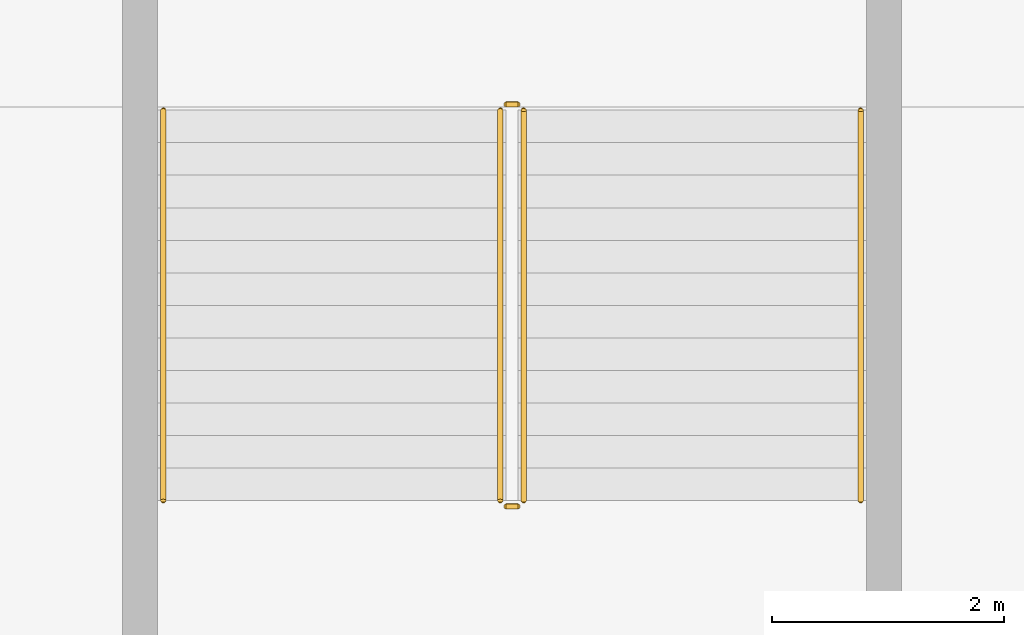
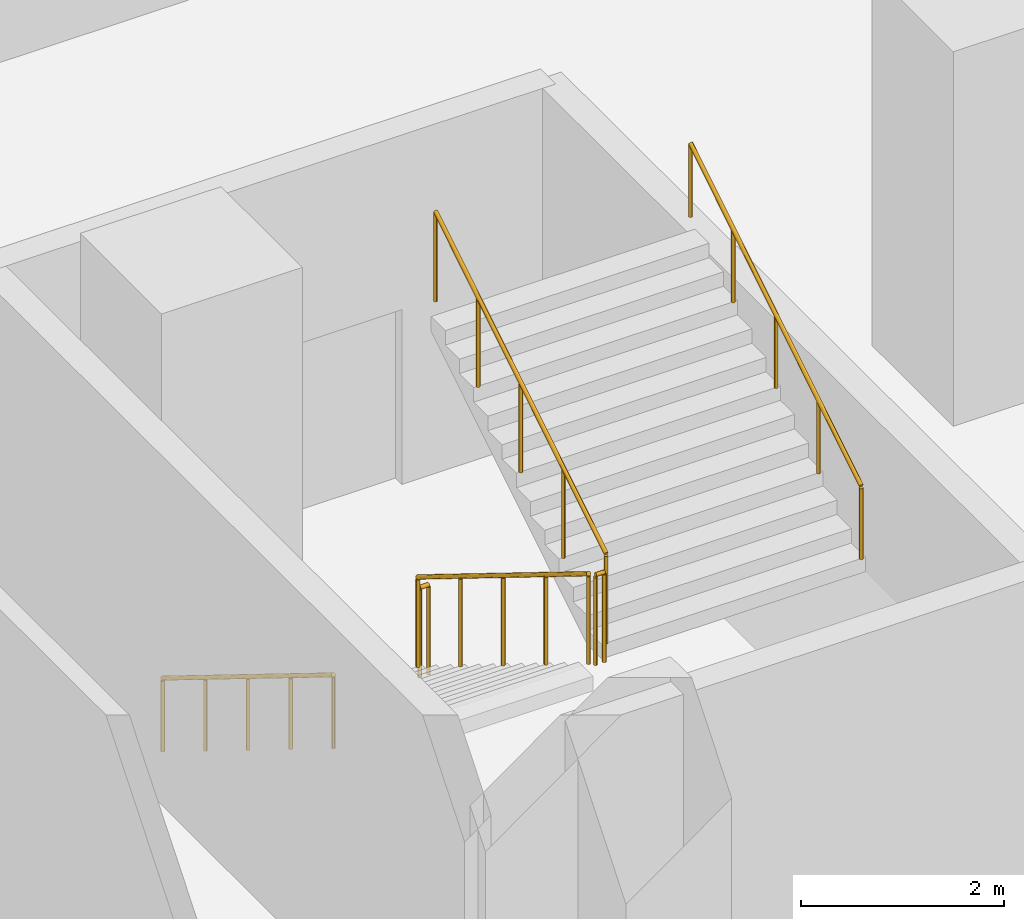
# One storey, part 10 of 13: 6 railings.
"""IFC4 building model written with IfcOpenShell, lengths in metres."""

from ifc_helpers import new_model, si_unit, direction, frame, origin, origin_2d, place, context, subcontext, project, spatial, circle, extrude, material, type_object, element, save


model = new_model("IFC4")

# Units and contexts
model_context = context("Model", 3, precision=1e-05, world=origin(), true_north=direction((0.0, 1.0)))
body_context = subcontext(model_context, "Body", "Model", "MODEL_VIEW")
ifc_project = project(units=[si_unit("LENGTHUNIT", "METRE"), si_unit("AREAUNIT", "SQUARE_METRE"), si_unit("VOLUMEUNIT", "CUBIC_METRE"), si_unit("PLANEANGLEUNIT", "RADIAN"), si_unit("MASSUNIT", "GRAM", prefix="KILO")], contexts=[model_context])

# Site, building, storey
site_placement = place(None, origin())
site = spatial("IfcSite", under=ifc_project, at=site_placement, CompositionType="ELEMENT")
building_placement = place(site_placement, origin())
building = spatial("IfcBuilding", under=site, at=building_placement, Name="Ogive Portal Towers", CompositionType="ELEMENT")
storey_placement = place(building_placement, frame((0.0, 0.0, -9.0)))
storey = spatial("IfcBuildingStorey", under=building, at=storey_placement, Name="B2", CompositionType="ELEMENT", Elevation=-9.0)

# Railings
ifc_material_1 = material(Name="Stainless steel balustrade", Category="steel")
railing_type_1 = type_object("IfcRailingType", Name="INT-GUARD", PredefinedType="GUARDRAIL", material=ifc_material_1)
railing_1_placement = place(storey_placement, frame((68.949951171875, 19.550048828125, 0.173095703125)))
element("IfcRailing", 1, at=railing_1_placement, inside=storey, type_object=railing_type_1, Name="B2 ST-S1 stair guard 1", PredefinedType="GUARDRAIL", context=body_context, shape_type="SweptSolid", body=[
    extrude(circle(Radius=0.02392578125, at=origin_2d()), frame((0.0, 0.0, 1.076171875), z_axis=(0.0, -0.850623216509, 0.525775754039), x_axis=(1.0, 0.0, 0.0)), (0.0, 0.0, 1.0), 3.9501953125),
    extrude(circle(Radius=0.02099609375, at=origin_2d()), origin(), (0.0, 0.0, 1.0), 1.052001953125),
    extrude(circle(Radius=0.02099609375, at=origin_2d()), frame((0.0, -0.840087890625, 0.519287109375)), (0.0, 0.0, 1.0), 1.052001953125),
    extrude(circle(Radius=0.02099609375, at=origin_2d()), frame((0.0, -1.68017578125, 1.03857421875)), (0.0, 0.0, 1.0), 1.052001953125),
    extrude(circle(Radius=0.02099609375, at=origin_2d()), frame((0.0, -2.52001953125, 1.5576171875)), (0.0, 0.0, 1.0), 1.052001953125),
    extrude(circle(Radius=0.02099609375, at=origin_2d()), frame((0.0, -3.360107421875, 2.076904296875)), (0.0, 0.0, 1.0), 1.052001953125),
])
railing_2_placement = place(storey_placement, frame((69.0, 16.139892578125, 2.25)))
element("IfcRailing", 2, at=railing_2_placement, inside=storey, type_object=railing_type_1, Name="B2 ST-S1 stair guard 2", PredefinedType="GUARDRAIL", context=body_context, shape_type="SweptSolid", body=[
    extrude(circle(Radius=0.02392578125, at=origin_2d()), frame((0.0, 0.0, 1.076171875), z_axis=(1.0, 0.0, 0.0), x_axis=(0.0, 1.0, 0.0)), (0.0, 0.0, 1.0), 0.10009765625),
    extrude(circle(Radius=0.02099609375, at=origin_2d()), origin(), (0.0, 0.0, 1.0), 1.052001953125),
    extrude(circle(Radius=0.02099609375, at=origin_2d()), frame((0.10009765625, 0.0, 0.0)), (0.0, 0.0, 1.0), 1.052001953125),
])
railing_3_placement = place(storey_placement, frame((69.14990234375, 16.18994140625, 2.423095703125)))
element("IfcRailing", 3, at=railing_3_placement, inside=storey, type_object=railing_type_1, Name="B2 ST-S1 stair guard 3", PredefinedType="GUARDRAIL", context=body_context, shape_type="SweptSolid", body=[
    extrude(circle(Radius=0.02392578125, at=origin_2d()), frame((0.0, 0.0, 1.076171875), z_axis=(0.0, 0.850623216509, 0.525775754039), x_axis=(-1.0, 0.0, 0.0)), (0.0, 0.0, 1.0), 3.9501953125),
    extrude(circle(Radius=0.02099609375, at=origin_2d()), origin(), (0.0, 0.0, 1.0), 1.052001953125),
    extrude(circle(Radius=0.02099609375, at=origin_2d()), frame((0.0, 0.840087890625, 0.519287109375)), (0.0, 0.0, 1.0), 1.052001953125),
    extrude(circle(Radius=0.02099609375, at=origin_2d()), frame((0.0, 1.68017578125, 1.03857421875)), (0.0, 0.0, 1.0), 1.052001953125),
    extrude(circle(Radius=0.02099609375, at=origin_2d()), frame((0.0, 2.52001953125, 1.5576171875)), (0.0, 0.0, 1.0), 1.052001953125),
    extrude(circle(Radius=0.02099609375, at=origin_2d()), frame((0.0, 3.360107421875, 2.076904296875)), (0.0, 0.0, 1.0), 1.052001953125),
])
railing_4_placement = place(storey_placement, frame((69.0, 19.60009765625, 0.0)))
element("IfcRailing", 4, at=railing_4_placement, inside=storey, type_object=railing_type_1, Name="B2 ST-S1 stair guard 4", PredefinedType="GUARDRAIL", context=body_context, shape_type="SweptSolid", body=[
    extrude(circle(Radius=0.02392578125, at=origin_2d()), frame((0.0, 0.0, 1.076171875), z_axis=(1.0, 0.0, 0.0), x_axis=(0.0, 1.0, 0.0)), (0.0, 0.0, 1.0), 0.10009765625),
    extrude(circle(Radius=0.02099609375, at=origin_2d()), origin(), (0.0, 0.0, 1.0), 1.052001953125),
    extrude(circle(Radius=0.02099609375, at=origin_2d()), frame((0.10009765625, 0.0, 0.0)), (0.0, 0.0, 1.0), 1.052001953125),
])
ifc_material_2 = material(Name="Stainless steel handrail", Category="steel")
railing_type_2 = type_object("IfcRailingType", Name="INT-HANDRAIL", PredefinedType="HANDRAIL", material=ifc_material_2)
railing_5_placement = place(storey_placement, frame((66.050048828125, 19.550048828125, 0.173095703125)))
element("IfcRailing", 5, at=railing_5_placement, inside=storey, type_object=railing_type_2, Name="B2 ST-S1 stair handrail 1", PredefinedType="HANDRAIL", context=body_context, shape_type="SweptSolid", body=[
    extrude(circle(Radius=0.02392578125, at=origin_2d()), frame((0.0, 0.0, 0.8759765625), z_axis=(0.0, -0.850623216509, 0.525775754039), x_axis=(1.0, 0.0, 0.0)), (0.0, 0.0, 1.0), 3.9501953125),
    extrude(circle(Radius=0.02099609375, at=origin_2d()), origin(), (0.0, 0.0, 1.0), 0.851806640625),
    extrude(circle(Radius=0.02099609375, at=origin_2d()), frame((0.0, -0.840087890625, 0.519287109375)), (0.0, 0.0, 1.0), 0.851806640625),
    extrude(circle(Radius=0.02099609375, at=origin_2d()), frame((0.0, -1.68017578125, 1.03857421875)), (0.0, 0.0, 1.0), 0.851806640625),
    extrude(circle(Radius=0.02099609375, at=origin_2d()), frame((0.0, -2.52001953125, 1.5576171875)), (0.0, 0.0, 1.0), 0.851806640625),
    extrude(circle(Radius=0.02099609375, at=origin_2d()), frame((0.0, -3.360107421875, 2.076904296875)), (0.0, 0.0, 1.0), 0.851806640625),
])
railing_6_placement = place(storey_placement, frame((72.050048828125, 16.18994140625, 2.423095703125)))
element("IfcRailing", 6, at=railing_6_placement, inside=storey, type_object=railing_type_2, Name="B2 ST-S1 stair handrail 2", PredefinedType="HANDRAIL", context=body_context, shape_type="SweptSolid", body=[
    extrude(circle(Radius=0.02392578125, at=origin_2d()), frame((0.0, 0.0, 0.8759765625), z_axis=(0.0, 0.850623216509, 0.525775754039), x_axis=(-1.0, 0.0, 0.0)), (0.0, 0.0, 1.0), 3.9501953125),
    extrude(circle(Radius=0.02099609375, at=origin_2d()), origin(), (0.0, 0.0, 1.0), 0.851806640625),
    extrude(circle(Radius=0.02099609375, at=origin_2d()), frame((0.0, 0.840087890625, 0.519287109375)), (0.0, 0.0, 1.0), 0.851806640625),
    extrude(circle(Radius=0.02099609375, at=origin_2d()), frame((0.0, 1.68017578125, 1.03857421875)), (0.0, 0.0, 1.0), 0.851806640625),
    extrude(circle(Radius=0.02099609375, at=origin_2d()), frame((0.0, 2.52001953125, 1.5576171875)), (0.0, 0.0, 1.0), 0.851806640625),
    extrude(circle(Radius=0.02099609375, at=origin_2d()), frame((0.0, 3.360107421875, 2.076904296875)), (0.0, 0.0, 1.0), 0.851806640625),
])

save(model, "model.ifc")
